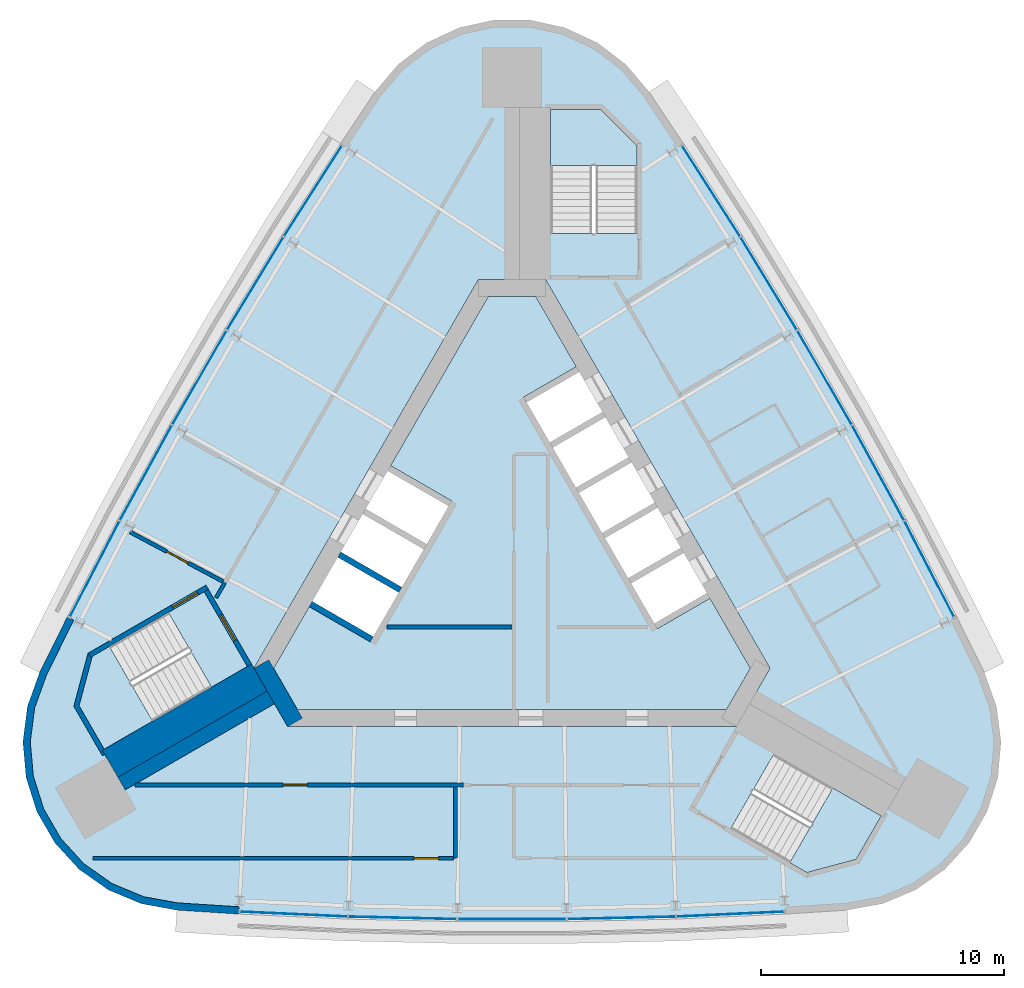
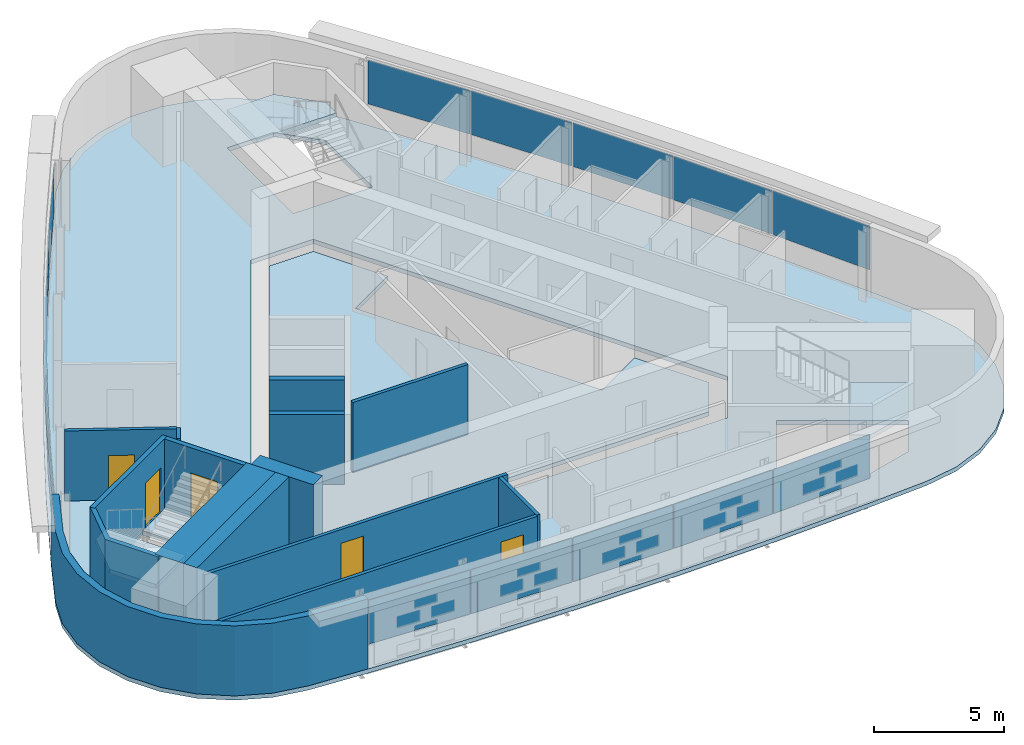
# One storey, part 5 of 10: 15 plates, 15 walls, 5 doors, 5 slabs, 5 openings, 6 elements without a shape of their own.
"""IFC4 building model written with IfcOpenShell, lengths in metres."""

from ifc_helpers import new_model, si_unit, direction, frame, frame_2d, origin, origin_2d, place, context, subcontext, project, spatial, polyline, rectangle, outline, extrude, material, layer, layer_set, type_object, element, fill, aggregate, save


model = new_model("IFC4")

# Units and contexts
model_context = context("Model", 3, precision=1e-05, world=origin(), true_north=direction((0.0, 1.0)))
body_context = subcontext(model_context, "Body", "Model", "MODEL_VIEW")
ifc_project = project(units=[si_unit("LENGTHUNIT", "METRE"), si_unit("AREAUNIT", "SQUARE_METRE"), si_unit("VOLUMEUNIT", "CUBIC_METRE"), si_unit("PLANEANGLEUNIT", "RADIAN"), si_unit("MASSUNIT", "GRAM", prefix="KILO")], contexts=[model_context])

# Site, building, storey
site_placement = place(None, origin())
site = spatial("IfcSite", under=ifc_project, at=site_placement, CompositionType="ELEMENT")
building_placement = place(site_placement, origin())
building = spatial("IfcBuilding", under=site, at=building_placement, Name="Noor Cloister Tower", CompositionType="ELEMENT")
storey_placement = place(building_placement, frame((0.0, 0.0, 247.199951171875)))
storey = spatial("IfcBuildingStorey", under=building, at=storey_placement, Name="L64", CompositionType="ELEMENT", Elevation=247.199951171875)

# Slabs
ifc_material_1 = material(Name="Concrete C40/50", Category="concrete")
ifc_layer_1 = layer(ifc_material_1, 0.199951171875)
ifc_layer_set_1 = layer_set([ifc_layer_1], Name="Core floor slab 200 C40/50")
slab_type_1 = type_object("IfcSlabType", Name="Core floor slab 200 C40/50", PredefinedType="FLOOR", material=ifc_layer_set_1)
slab_1_placement = place(storey_placement, frame((0.0, 0.0, -0.199951171875)))
element("IfcSlab", 1, at=slab_1_placement, inside=storey, type_object=slab_type_1, Name="Core floor L64", PredefinedType="FLOOR", context=body_context, shape_type="SweptSolid", body=[
    extrude(outline(polyline([(2.643798828125, 7.877197265625), (0.9814453125, 10.75634765625), (-0.9814453125, 10.75634765625), (-4.993896484375, 3.806884765625), (-2.482421875, 2.35693359375), (-5.832275390625, -3.4453125), (-8.34375, -1.995361328125), (-9.80615234375, -4.5283203125), (-8.82470703125, -6.228271484375), (8.82470703125, -6.228271484375), (9.80615234375, -4.5283203125), (8.143798828125, -1.64892578125), (5.978759765625, -2.89892578125), (0.478759765625, 6.627197265625), (2.643798828125, 7.877197265625)])), origin(), (0.0, 0.0, 1.0), 0.199951171875),
])
ifc_material_2 = material(Name="Concrete C40/50", Category="concrete")
ifc_layer_2 = layer(ifc_material_2, 0.199951171875)
ifc_layer_set_2 = layer_set([ifc_layer_2], Name="Floor slab 200 C40/50")
slab_type_2 = type_object("IfcSlabType", Name="Floor slab 200 C40/50", PredefinedType="FLOOR", material=ifc_layer_set_2)
slab_2_placement = place(storey_placement, frame((0.0, 0.0, -0.199951171875)))
element("IfcSlab", 2, at=slab_2_placement, inside=storey, type_object=slab_type_2, Name="Floor slab L64", PredefinedType="FLOOR", context=body_context, shape_type="SweptSolid", body=[
    extrude(outline(polyline([(5.643798828125, 19.180419921875), (4.690673828125, 20.306640625), (3.51708984375, 21.200927734375), (2.178466796875, 21.821533203125), (0.73779296875, 22.139404296875), (-0.73779296875, 22.139404296875), (-2.178466796875, 21.821533203125), (-3.51708984375, 21.200927734375), (-4.690673828125, 20.306640625), (-5.643798828125, 19.180419921875), (-7.05712890625, 17.0576171875), (-9.4833984375, 13.267822265625), (-11.822021484375, 9.423583984375), (-14.072021484375, 5.5263671875), (-16.232177734375, 1.578857421875), (-18.301025390625, -2.417236328125), (-19.4326171875, -4.702392578125), (-19.931396484375, -6.091064453125), (-20.119140625, -7.5546875), (-19.9873046875, -9.024169921875), (-19.542236328125, -10.430908203125), (-18.804443359375, -11.70849609375), (-17.808837890625, -12.797607421875), (-16.60205078125, -13.646484375), (-15.24072265625, -14.21533203125), (-13.788818359375, -14.47802734375), (-11.243896484375, -14.640625), (-6.748779296875, -14.846923828125), (-2.25, -14.949951171875), (2.25, -14.949951171875), (6.748779296875, -14.846923828125), (11.243896484375, -14.640625), (13.788818359375, -14.47802734375), (15.24072265625, -14.21533203125), (16.60205078125, -13.646484375), (17.808837890625, -12.797607421875), (18.804443359375, -11.70849609375), (19.542236328125, -10.430908203125), (19.9873046875, -9.024169921875), (20.119140625, -7.5546875), (19.931396484375, -6.091064453125), (19.4326171875, -4.702392578125), (18.301025390625, -2.417236328125), (16.232177734375, 1.578857421875), (14.072021484375, 5.5263671875), (11.822021484375, 9.423583984375), (9.4833984375, 13.267822265625), (7.05712890625, 17.0576171875), (5.643798828125, 19.180419921875)]), holes=[polyline([(8.999755859375, -11.126220703125), (12.131591796875, -12.934326171875), (14.1572265625, -12.3916015625), (15.19091796875, -10.601318359375), (10.774658203125, -8.0517578125), (8.999755859375, -11.126220703125)]), polyline([(-17.81005859375, -6.064697265625), (-16.776611328125, -7.85498046875), (-12.3603515625, -5.305419921875), (-14.13525390625, -2.23095703125), (-16.662841796875, -3.690185546875), (-17.267333984375, -4.039306640625), (-17.81005859375, -6.064697265625)]), polyline([(-10.6142578125, -4.5283203125), (-9.228759765625, -6.92822265625), (9.228759765625, -6.92822265625), (10.6142578125, -4.5283203125), (1.3857421875, 11.456298828125), (-1.3857421875, 11.456298828125), (-10.6142578125, -4.5283203125)]), polyline([(3.65283203125, 18.456298828125), (1.585693359375, 18.456298828125), (1.585693359375, 13.35693359375), (5.135498046875, 13.35693359375), (5.135498046875, 16.9736328125), (3.65283203125, 18.456298828125)])]), origin(), (0.0, 0.0, 1.0), 0.199951171875),
])

# Curtain wall, plates
ifc_material_3 = material(Name="Aluminium 6063-T6 anodised", Category="aluminium")
curtain_wall_type = type_object("IfcCurtainWallType", Name="Ribbon curtain wall, upper tower CW5", PredefinedType="NOTDEFINED", material=ifc_material_3)
curtain_wall_1_placement = place(storey_placement, origin())
curtain_wall_1 = element("IfcCurtainWall", 3, at=curtain_wall_1_placement, inside=storey, type_object=curtain_wall_type, Name="CW5 L64 NW run 1", PredefinedType="NOTDEFINED")
ifc_material_4 = material(Name="Clear laminated glass 2 x 8 mm", Category="glass")
ifc_layer_3 = layer(ifc_material_4, 0.028076171875)
ifc_layer_set_3 = layer_set([ifc_layer_3], Name="Glass panel CW5")
plate_type = type_object("IfcPlateType", Name="Glass panel CW5", PredefinedType="CURTAIN_PANEL", material=ifc_layer_set_3)
plate_1_placement = place(storey_placement, frame((-8.195068359375, 15.0947265625, 1.08984375), z_axis=(0.0, 0.0, 1.0), x_axis=(-0.539170940617, -0.842196352874, 0.0)))
plate_1 = element("IfcPlate", 4, at=plate_1_placement, type_object=plate_type, Name="CW5 glass panel 1", PredefinedType="CURTAIN_PANEL", context=body_context, shape_type="SweptSolid", body=[
    extrude(rectangle(XDim=4.413818359375, YDim=0.028076171875, at=origin_2d()), origin(), (0.0, 0.0, 1.0), 2.070068359375),
])
plate_2_placement = place(storey_placement, frame((-10.5673828125, 11.293701171875, 1.08984375), z_axis=(0.0, 0.0, 1.0), x_axis=(-0.519722064783, -0.854335399816, 0.0)))
plate_2 = element("IfcPlate", 5, at=plate_2_placement, type_object=plate_type, Name="CW5 glass panel 2", PredefinedType="CURTAIN_PANEL", context=body_context, shape_type="SweptSolid", body=[
    extrude(rectangle(XDim=4.447509765625, YDim=0.028076171875, at=origin_2d()), origin(), (0.0, 0.0, 1.0), 2.070068359375),
])
plate_3_placement = place(storey_placement, frame((-12.8603515625, 7.425048828125, 1.08984375), z_axis=(0.0, 0.0, 1.0), x_axis=(-0.5, -0.866025403784, 0.0)))
plate_3 = element("IfcPlate", 6, at=plate_3_placement, type_object=plate_type, Name="CW5 glass panel 3", PredefinedType="CURTAIN_PANEL", context=body_context, shape_type="SweptSolid", body=[
    extrude(rectangle(XDim=4.447509765625, YDim=0.028076171875, at=origin_2d()), origin(), (0.0, 0.0, 1.0), 2.070068359375),
])
plate_4_placement = place(storey_placement, frame((-15.064208984375, 3.504638671875, 1.08984375), z_axis=(0.0, 0.0, 1.0), x_axis=(-0.480015127201, -0.877260210917, 0.0)))
plate_4 = element("IfcPlate", 7, at=plate_4_placement, type_object=plate_type, Name="CW5 glass panel 4", PredefinedType="CURTAIN_PANEL", context=body_context, shape_type="SweptSolid", body=[
    extrude(rectangle(XDim=4.447509765625, YDim=0.028076171875, at=origin_2d()), origin(), (0.0, 0.0, 1.0), 2.070068359375),
])
plate_5_placement = place(storey_placement, frame((-17.169921875, -0.4501953125, 1.08984375), z_axis=(0.0, 0.0, 1.0), x_axis=(-0.459777966255, -0.888033907993, 0.0)))
plate_5 = element("IfcPlate", 8, at=plate_5_placement, type_object=plate_type, Name="CW5 glass panel 5", PredefinedType="CURTAIN_PANEL", context=body_context, shape_type="SweptSolid", body=[
    extrude(rectangle(XDim=4.413818359375, YDim=0.028076171875, at=origin_2d()), origin(), (0.0, 0.0, 1.0), 2.070068359375),
])
aggregate(curtain_wall_1, [plate_1, plate_2, plate_3, plate_4, plate_5])

curtain_wall_2_placement = place(storey_placement, origin())
curtain_wall_2 = element("IfcCurtainWall", 9, at=curtain_wall_2_placement, inside=storey, type_object=curtain_wall_type, Name="CW5 L64 S run 2", PredefinedType="NOTDEFINED")
plate_6_placement = place(storey_placement, frame((-8.974853515625, -14.64453125, 1.08984375), z_axis=(0.0, 0.0, 1.0), x_axis=(0.998948906872, -0.045837555119, 0.0)))
plate_6 = element("IfcPlate", 10, at=plate_6_placement, type_object=plate_type, Name="CW5 glass panel 1", PredefinedType="CURTAIN_PANEL", context=body_context, shape_type="SweptSolid", body=[
    extrude(rectangle(XDim=4.413818359375, YDim=0.028076171875, at=origin_2d()), origin(), (0.0, 0.0, 1.0), 2.070068359375),
])
plate_7_placement = place(storey_placement, frame((-4.4970703125, -14.79833984375, 1.08984375), z_axis=(0.0, 0.0, 1.0), x_axis=(0.999737191984, -0.022924811101, 0.0)))
plate_7 = element("IfcPlate", 11, at=plate_7_placement, type_object=plate_type, Name="CW5 glass panel 2", PredefinedType="CURTAIN_PANEL", context=body_context, shape_type="SweptSolid", body=[
    extrude(rectangle(XDim=4.447509765625, YDim=0.028076171875, at=origin_2d()), origin(), (0.0, 0.0, 1.0), 2.070068359375),
])
plate_8_placement = place(storey_placement, frame((0.0, -14.85009765625, 1.08984375), z_axis=(0.0, 0.0, 1.0), x_axis=(1.0, 0.0, 0.0)))
plate_8 = element("IfcPlate", 12, at=plate_8_placement, type_object=plate_type, Name="CW5 glass panel 3", PredefinedType="CURTAIN_PANEL", context=body_context, shape_type="SweptSolid", body=[
    extrude(rectangle(XDim=4.447509765625, YDim=0.028076171875, at=origin_2d()), origin(), (0.0, 0.0, 1.0), 2.070068359375),
])
plate_9_placement = place(storey_placement, frame((4.4970703125, -14.79833984375, 1.08984375), z_axis=(0.0, 0.0, 1.0), x_axis=(0.999737191984, 0.022924811101, 0.0)))
plate_9 = element("IfcPlate", 13, at=plate_9_placement, type_object=plate_type, Name="CW5 glass panel 4", PredefinedType="CURTAIN_PANEL", context=body_context, shape_type="SweptSolid", body=[
    extrude(rectangle(XDim=4.447509765625, YDim=0.028076171875, at=origin_2d()), origin(), (0.0, 0.0, 1.0), 2.070068359375),
])
plate_10_placement = place(storey_placement, frame((8.974853515625, -14.64453125, 1.08984375), z_axis=(0.0, 0.0, 1.0), x_axis=(0.998948906872, 0.045837555119, 0.0)))
plate_10 = element("IfcPlate", 14, at=plate_10_placement, type_object=plate_type, Name="CW5 glass panel 5", PredefinedType="CURTAIN_PANEL", context=body_context, shape_type="SweptSolid", body=[
    extrude(rectangle(XDim=4.413818359375, YDim=0.028076171875, at=origin_2d()), origin(), (0.0, 0.0, 1.0), 2.070068359375),
])
aggregate(curtain_wall_2, [plate_6, plate_7, plate_8, plate_9, plate_10])

curtain_wall_3_placement = place(storey_placement, origin())
curtain_wall_3 = element("IfcCurtainWall", 15, at=curtain_wall_3_placement, inside=storey, type_object=curtain_wall_type, Name="CW5 L64 NE run 3", PredefinedType="NOTDEFINED")
plate_11_placement = place(storey_placement, frame((17.169921875, -0.4501953125, 1.08984375), z_axis=(0.0, 0.0, 1.0), x_axis=(-0.459777966255, 0.888033907993, 0.0)))
plate_11 = element("IfcPlate", 16, at=plate_11_placement, type_object=plate_type, Name="CW5 glass panel 1", PredefinedType="CURTAIN_PANEL", context=body_context, shape_type="SweptSolid", body=[
    extrude(rectangle(XDim=4.413818359375, YDim=0.028076171875, at=origin_2d()), origin(), (0.0, 0.0, 1.0), 2.070068359375),
])
plate_12_placement = place(storey_placement, frame((15.064208984375, 3.504638671875, 1.08984375), z_axis=(0.0, 0.0, 1.0), x_axis=(-0.480015127201, 0.877260210917, 0.0)))
plate_12 = element("IfcPlate", 17, at=plate_12_placement, type_object=plate_type, Name="CW5 glass panel 2", PredefinedType="CURTAIN_PANEL", context=body_context, shape_type="SweptSolid", body=[
    extrude(rectangle(XDim=4.447509765625, YDim=0.028076171875, at=origin_2d()), origin(), (0.0, 0.0, 1.0), 2.070068359375),
])
plate_13_placement = place(storey_placement, frame((12.8603515625, 7.425048828125, 1.08984375), z_axis=(0.0, 0.0, 1.0), x_axis=(-0.5, 0.866025403784, 0.0)))
plate_13 = element("IfcPlate", 18, at=plate_13_placement, type_object=plate_type, Name="CW5 glass panel 3", PredefinedType="CURTAIN_PANEL", context=body_context, shape_type="SweptSolid", body=[
    extrude(rectangle(XDim=4.447509765625, YDim=0.028076171875, at=origin_2d()), origin(), (0.0, 0.0, 1.0), 2.070068359375),
])
plate_14_placement = place(storey_placement, frame((10.5673828125, 11.293701171875, 1.08984375), z_axis=(0.0, 0.0, 1.0), x_axis=(-0.519722064783, 0.854335399816, 0.0)))
plate_14 = element("IfcPlate", 19, at=plate_14_placement, type_object=plate_type, Name="CW5 glass panel 4", PredefinedType="CURTAIN_PANEL", context=body_context, shape_type="SweptSolid", body=[
    extrude(rectangle(XDim=4.447509765625, YDim=0.028076171875, at=origin_2d()), origin(), (0.0, 0.0, 1.0), 2.070068359375),
])
plate_15_placement = place(storey_placement, frame((8.195068359375, 15.0947265625, 1.08984375), z_axis=(0.0, 0.0, 1.0), x_axis=(-0.539170940617, 0.842196352874, 0.0)))
plate_15 = element("IfcPlate", 20, at=plate_15_placement, type_object=plate_type, Name="CW5 glass panel 5", PredefinedType="CURTAIN_PANEL", context=body_context, shape_type="SweptSolid", body=[
    extrude(rectangle(XDim=4.413818359375, YDim=0.028076171875, at=origin_2d()), origin(), (0.0, 0.0, 1.0), 2.070068359375),
])
aggregate(curtain_wall_3, [plate_11, plate_12, plate_13, plate_14, plate_15])

# Stair, slab
ifc_material_5 = material(Name="Concrete C40/50", Category="concrete")
stair_type = type_object("IfcStairType", Name="Exit stair 22 risers", PredefinedType="HALF_TURN_STAIR", material=ifc_material_5)
stair_1_placement = place(storey_placement, origin())
stair_1 = element("IfcStair", 21, at=stair_1_placement, inside=storey, type_object=stair_type, Name="Exit stair ST1 L64", PredefinedType="HALF_TURN_STAIR")
ifc_material_6 = material(Name="Concrete C40/50", Category="concrete")
ifc_layer_4 = layer(ifc_material_6, 0.199951171875)
ifc_layer_set_4 = layer_set([ifc_layer_4], Name="Stair landing 200 C40/50")
slab_type_3 = type_object("IfcSlabType", Name="Stair landing 200 C40/50", PredefinedType="LANDING", material=ifc_layer_set_4)
slab_3_placement = place(storey_placement, frame((0.0, 0.0, 1.60009765625)))
slab_3 = element("IfcSlab", 22, at=slab_3_placement, type_object=slab_type_3, Name="ST1 landing 1", PredefinedType="LANDING", context=body_context, shape_type="SweptSolid", body=[
    extrude(outline(polyline([(5.135498046875, 16.15576171875), (5.135498046875, 16.9736328125), (3.65283203125, 18.456298828125), (1.585693359375, 18.456298828125), (1.585693359375, 16.15576171875), (5.135498046875, 16.15576171875)])), origin(), (0.0, 0.0, 1.0), 0.199951171875),
])
aggregate(stair_1, [slab_3])

stair_2_placement = place(storey_placement, origin())
stair_2 = element("IfcStair", 23, at=stair_2_placement, inside=storey, type_object=stair_type, Name="Exit stair ST2 L64", PredefinedType="HALF_TURN_STAIR")
slab_4_placement = place(storey_placement, frame((0.0, 0.0, 1.60009765625)))
slab_4 = element("IfcSlab", 24, at=slab_4_placement, type_object=slab_type_3, Name="ST2 landing 1", PredefinedType="LANDING", context=body_context, shape_type="SweptSolid", body=[
    extrude(outline(polyline([(-16.55908203125, -3.63037109375), (-17.267333984375, -4.039306640625), (-17.81005859375, -6.064697265625), (-16.776611328125, -7.85498046875), (-14.7841796875, -6.70458984375), (-16.55908203125, -3.63037109375)])), origin(), (0.0, 0.0, 1.0), 0.199951171875),
])
aggregate(stair_2, [slab_4])

stair_3_placement = place(storey_placement, origin())
stair_3 = element("IfcStair", 25, at=stair_3_placement, inside=storey, type_object=stair_type, Name="Exit stair ST3 L64", PredefinedType="HALF_TURN_STAIR")
slab_5_placement = place(storey_placement, frame((0.0, 0.0, 1.60009765625)))
slab_5 = element("IfcSlab", 26, at=slab_5_placement, type_object=slab_type_3, Name="ST3 landing 1", PredefinedType="LANDING", context=body_context, shape_type="SweptSolid", body=[
    extrude(outline(polyline([(11.423583984375, -12.525390625), (12.131591796875, -12.934326171875), (14.1572265625, -12.3916015625), (15.19091796875, -10.601318359375), (13.198486328125, -9.451171875), (11.423583984375, -12.525390625)])), origin(), (0.0, 0.0, 1.0), 0.199951171875),
])
aggregate(stair_3, [slab_5])

# Walls
ifc_material_7 = material(Name="Concrete C60/75", Category="concrete")
ifc_layer_5 = layer(ifc_material_7, 0.60009765625)
ifc_layer_set_5 = layer_set([ifc_layer_5], Name="Buttress wall 600 C60/75")
wall_type_1 = type_object("IfcWallType", Name="Buttress wall 600 C60/75", PredefinedType="SHEAR", material=ifc_layer_set_5)
wall_1_placement = place(storey_placement, frame((-9.921630859375, -5.728271484375, -0.199951171875), z_axis=(0.0, 0.0, 1.0), x_axis=(-0.866029688112, -0.499992579254, 0.0)))
element("IfcWall", 27, at=wall_1_placement, inside=storey, type_object=wall_type_1, Name="Buttress wall SW L64", PredefinedType="SHEAR", context=body_context, shape_type="SweptSolid", body=[
    extrude(rectangle(XDim=7.09326171875, YDim=0.60009765625, at=frame_2d((3.546630859375, 0.0))), origin(), (0.0, 0.0, 1.0), 3.5),
])
ifc_material_8 = material(Name="Concrete C30/37", Category="concrete")
ifc_layer_6 = layer(ifc_material_8, 0.14990234375)
ifc_layer_set_6 = layer_set([ifc_layer_6], Name="Core partition 150 C30/37")
wall_type_2 = type_object("IfcWallType", Name="Core partition 150 C30/37", PredefinedType="PARTITIONING", material=ifc_layer_set_6)
wall_2_placement = place(storey_placement, frame((-5.142333984375, -2.828125, 0.0), z_axis=(0.0, 0.0, 1.0), x_axis=(1.0, 0.0, 0.0)))
element("IfcWall", 28, at=wall_2_placement, inside=storey, type_object=wall_type_2, Name="Core room partition L64 1", PredefinedType="PARTITIONING", context=body_context, shape_type="SweptSolid", body=[
    extrude(rectangle(XDim=5.138671875, YDim=0.14990234375, at=frame_2d((2.5693359375, 0.0))), origin(), (0.0, 0.0, 1.0), 3.300048828125),
])
ifc_material_9 = material(Name="Concrete C60/75", Category="concrete")
ifc_layer_7 = layer(ifc_material_9, 0.699951171875)
ifc_layer_set_7 = layer_set([ifc_layer_7], Name="Core wall 700 C60/75")
wall_type_3 = type_object("IfcWallType", Name="Core wall 700 C60/75", PredefinedType="SHEAR", material=ifc_layer_set_7)
wall_3_placement = place(storey_placement, frame((-10.311279296875, -4.353271484375, -0.199951171875), z_axis=(0.0, 0.0, 1.0), x_axis=(0.500042739161, -0.866000726912, 0.0)))
element("IfcWall", 29, at=wall_3_placement, inside=storey, type_object=wall_type_3, Name="Core wall L64 6", PredefinedType="SHEAR", context=body_context, shape_type="SweptSolid", body=[
    extrude(rectangle(XDim=2.771240234375, YDim=0.699951171875, at=frame_2d((1.3857421875, 0.0))), origin(), (0.0, 0.0, 1.0), 3.5),
])
ifc_material_10 = material(Name="Fire-rated gypsum board partition on steel studs, 150 mm", Category="steel")
ifc_layer_8 = layer(ifc_material_10, 0.14990234375)
ifc_layer_set_8 = layer_set([ifc_layer_8], Name="Fire lobby wall 150")
wall_type_4 = type_object("IfcWallType", Name="Fire lobby wall 150", PredefinedType="PARTITIONING", material=ifc_layer_set_8)
wall_4_placement = place(storey_placement, frame((-11.811279296875, -1.001220703125, 0.0), z_axis=(0.0, 0.0, 1.0), x_axis=(-0.499839240638, -0.866118198353, 0.0)))
element("IfcWall", 30, at=wall_4_placement, inside=storey, type_object=wall_type_4, Name="Wall L64-W22", PredefinedType="PARTITIONING", context=body_context, shape_type="SweptSolid", body=[
    extrude(rectangle(XDim=0.723876953125, YDim=0.14990234375, at=frame_2d((0.36181640625, 0.0))), origin(), (0.0, 0.0, 1.0), 3.300048828125),
])

# Wall, opening, door
ifc_material_11 = material(Name="Gypsum board partition on steel studs, 150 mm", Category="steel")
ifc_layer_9 = layer(ifc_material_11, 0.14990234375)
ifc_layer_set_9 = layer_set([ifc_layer_9], Name="Flat wall 150")
wall_type_5 = type_object("IfcWallType", Name="Flat wall 150", PredefinedType="PARTITIONING", material=ifc_layer_set_9)
wall_5_placement = place(storey_placement, frame((-15.514404296875, -9.328125, 0.0), z_axis=(0.0, 0.0, 1.0), x_axis=(1.0, 0.0, 0.0)))
wall_5 = element("IfcWall", 31, at=wall_5_placement, inside=storey, type_object=wall_type_5, Name="Wall L64-W14", PredefinedType="PARTITIONING", context=body_context, shape_type="SweptSolid", body=[
    extrude(rectangle(XDim=13.52880859375, YDim=0.14990234375, at=frame_2d((6.764404296875, 0.0))), origin(), (0.0, 0.0, 1.0), 2.751953125),
])
opening_1_placement = place(wall_5_placement, frame((6.09619140625, 0.0, 0.0)))
opening_1 = element("IfcOpeningElement", 32, at=opening_1_placement, cuts=wall_5, Name="Opening L64-011", PredefinedType="OPENING", context=body_context, shape_type="SweptSolid", body=[
    extrude(rectangle(XDim=1.0, YDim=2.10009765625, at=frame_2d((0.5, 1.050048828125))), frame((0.0, 0.0849609375, 0.0), z_axis=(0.0, -1.0, 0.0), x_axis=(1.0, 0.0, 0.0)), (0.0, 0.0, 1.0), 0.169921875),
])
ifc_material_12 = material(Name="Timber door leaf with steel frame", Category="steel")
door_type_1 = type_object("IfcDoorType", Name="Interior door 1000 FD60", OperationType="NOTDEFINED", PredefinedType="DOOR", material=ifc_material_12)
door_1_placement = place(opening_1_placement, origin())
door_1 = element("IfcDoor", 33, at=door_1_placement, inside=storey, type_object=door_type_1, Name="Door L64-011", OperationType="SINGLE_SWING_LEFT", OverallHeight=2.10009765625, OverallWidth=1.0, PredefinedType="DOOR", context=body_context, shape_type="SweptSolid", body=[
    extrude(rectangle(XDim=1.0, YDim=2.10009765625, at=frame_2d((0.5, 1.050048828125))), frame((0.0, 0.02490234375, 0.0), z_axis=(0.0, -1.0, 0.0), x_axis=(1.0, 0.0, 0.0)), (0.0, 0.0, 1.0), 0.050048828125),
])
fill(opening_1, door_1)

# Wall
wall_6_placement = place(storey_placement, frame((-2.322021484375, -9.4033203125, 0.0), z_axis=(0.0, 0.0, 1.0), x_axis=(0.0, -1.0, 0.0)))
element("IfcWall", 34, at=wall_6_placement, inside=storey, type_object=wall_type_5, Name="Wall L64-W17", PredefinedType="PARTITIONING", context=body_context, shape_type="SweptSolid", body=[
    extrude(rectangle(XDim=2.9365234375, YDim=0.14990234375, at=frame_2d((1.46826171875, 0.0))), origin(), (0.0, 0.0, 1.0), 2.751953125),
])

# Wall, opening, door
wall_7_placement = place(storey_placement, frame((-17.24267578125, -12.33984375, 0.0), z_axis=(0.0, 0.0, 1.0), x_axis=(1.0, 0.0, 0.0)))
wall_7 = element("IfcWall", 35, at=wall_7_placement, inside=storey, type_object=wall_type_5, Name="Wall L64-W19", PredefinedType="PARTITIONING", context=body_context, shape_type="SweptSolid", body=[
    extrude(rectangle(XDim=14.845703125, YDim=0.14990234375, at=frame_2d((7.4228515625, 0.0))), origin(), (0.0, 0.0, 1.0), 2.751953125),
])
opening_2_placement = place(wall_7_placement, frame((13.220703125, 0.0, 0.0)))
opening_2 = element("IfcOpeningElement", 36, at=opening_2_placement, cuts=wall_7, Name="Opening L64-010", PredefinedType="OPENING", context=body_context, shape_type="SweptSolid", body=[
    extrude(rectangle(XDim=1.0, YDim=2.10009765625, at=frame_2d((0.5, 1.050048828125))), frame((0.0, 0.0849609375, 0.0), z_axis=(0.0, -1.0, 0.0), x_axis=(1.0, 0.0, 0.0)), (0.0, 0.0, 1.0), 0.169921875),
])
door_2_placement = place(opening_2_placement, origin())
door_2 = element("IfcDoor", 37, at=door_2_placement, inside=storey, type_object=door_type_1, Name="Door L64-010", OperationType="SINGLE_SWING_RIGHT", OverallHeight=2.10009765625, OverallWidth=1.0, PredefinedType="DOOR", context=body_context, shape_type="SweptSolid", body=[
    extrude(rectangle(XDim=1.0, YDim=2.10009765625, at=frame_2d((0.5, 1.050048828125))), frame((0.0, 0.02490234375, 0.0), z_axis=(0.0, -1.0, 0.0), x_axis=(1.0, 0.0, 0.0)), (0.0, 0.0, 1.0), 0.050048828125),
])
fill(opening_2, door_2)

wall_8_placement = place(storey_placement, frame((-15.7060546875, 1.072265625, 0.0), z_axis=(0.0, 0.0, 1.0), x_axis=(0.882697050639, -0.469942461152, 0.0)))
wall_8 = element("IfcWall", 38, at=wall_8_placement, inside=storey, type_object=wall_type_5, Name="Wall L64-W24", PredefinedType="PARTITIONING", context=body_context, shape_type="SweptSolid", body=[
    extrude(rectangle(XDim=4.33740234375, YDim=0.14990234375, at=frame_2d((2.168701171875, 0.0))), origin(), (0.0, 0.0, 1.0), 3.300048828125),
])
opening_3_placement = place(wall_8_placement, frame((1.706298828125, 0.0, 0.0)))
opening_3 = element("IfcOpeningElement", 39, at=opening_3_placement, cuts=wall_8, Name="Opening L64-016", PredefinedType="OPENING", context=body_context, shape_type="SweptSolid", body=[
    extrude(rectangle(XDim=1.0, YDim=2.10009765625, at=frame_2d((0.5, 1.050048828125))), frame((0.0, 0.0849609375, 0.0), z_axis=(0.0, -1.0, 0.0), x_axis=(1.0, 0.0, 0.0)), (0.0, 0.0, 1.0), 0.169921875),
])
door_3_placement = place(opening_3_placement, origin())
door_3 = element("IfcDoor", 40, at=door_3_placement, inside=storey, type_object=door_type_1, Name="Door L64-016", OperationType="SINGLE_SWING_RIGHT", OverallHeight=2.10009765625, OverallWidth=1.0, PredefinedType="DOOR", context=body_context, shape_type="SweptSolid", body=[
    extrude(rectangle(XDim=1.0, YDim=2.10009765625, at=frame_2d((0.5, 1.050048828125))), frame((0.0, 0.02490234375, 0.0), z_axis=(0.0, -1.0, 0.0), x_axis=(1.0, 0.0, 0.0)), (0.0, 0.0, 1.0), 0.050048828125),
])
fill(opening_3, door_3)

# Walls
ifc_material_13 = material(Name="Limestone", Category="masonry")
ifc_layer_10 = layer(ifc_material_13, 0.300048828125)
ifc_layer_set_10 = layer_set([ifc_layer_10], Name="Limestone cladding 300")
wall_type_6 = type_object("IfcWallType", Name="Limestone cladding 300", PredefinedType="NOTDEFINED", material=ifc_layer_set_10)
wall_9_placement = place(storey_placement, origin())
element("IfcWall", 41, at=wall_9_placement, inside=storey, type_object=wall_type_6, Name="Limestone pier cladding L64 1.1", PredefinedType="NOTDEFINED", context=body_context, shape_type="SweptSolid", body=[
    extrude(outline(polyline([(-18.301025390625, -2.417236328125), (-19.4326171875, -4.702392578125), (-19.931396484375, -6.091064453125), (-20.119140625, -7.5546875), (-19.9873046875, -9.024169921875), (-19.542236328125, -10.430908203125), (-18.804443359375, -11.70849609375), (-17.808837890625, -12.797607421875), (-16.60205078125, -13.646484375), (-15.24072265625, -14.21533203125), (-13.788818359375, -14.47802734375), (-11.243896484375, -14.640625), (-11.224609375, -14.341064453125), (-13.75244140625, -14.1796875), (-15.1552734375, -13.926025390625), (-16.4560546875, -13.38232421875), (-17.609375, -12.571044921875), (-18.56103515625, -11.5302734375), (-19.26611328125, -10.30908203125), (-19.69140625, -8.96484375), (-19.8173828125, -7.560302734375), (-19.637939453125, -6.161865234375), (-19.15625, -4.820068359375), (-18.0322265625, -2.55029296875), (-18.301025390625, -2.417236328125)])), origin(), (0.0, 0.0, 1.0), 3.300048828125),
])
ifc_material_14 = material(Name="Concrete C60/75", Category="concrete")
ifc_layer_11 = layer(ifc_material_14, 0.25)
ifc_layer_set_11 = layer_set([ifc_layer_11], Name="Shaft wall 250 C60/75")
wall_type_7 = type_object("IfcWallType", Name="Shaft wall 250 C60/75", PredefinedType="PARTITIONING", material=ifc_layer_set_11)
for number, where, z_axis, x_axis, name in (
    (42, (-7.106201171875, 0.14794921875, -0.199951171875), (0.0, 0.0, 1.0), (0.866032775405, -0.499987231761, 0.0), "Lift shaft wall L64 NW 5"),
    (43, (-8.28125, -1.88720703125, -0.199951171875), (0.0, 0.0, 1.0), (0.866032775405, -0.499987231761, 0.0), "Lift shaft wall L64 NW 6"),
):
    element("IfcWall", number, at=place(storey_placement, frame(where, z_axis=z_axis, x_axis=x_axis)), inside=storey, type_object=wall_type_7, Name=name, PredefinedType="PARTITIONING", context=body_context, shape_type="SweptSolid", body=[
        extrude(rectangle(XDim=2.89990234375, YDim=0.25, at=frame_2d((1.449951171875, 0.0))), origin(), (0.0, 0.0, 1.0), 3.5),
    ])
ifc_material_15 = material(Name="Concrete C60/75", Category="concrete")
ifc_layer_12 = layer(ifc_material_15, 1.285888671875)
ifc_layer_set_12 = layer_set([ifc_layer_12], Name="Stair enclosure wall 1286 C60/75")
wall_type_8 = type_object("IfcWallType", Name="Stair enclosure wall 1286 C60/75", PredefinedType="SHEAR", material=ifc_layer_set_12)
wall_10_placement = place(storey_placement, frame((-10.392822265625, -4.91162109375, -0.199951171875), z_axis=(0.0, 0.0, 1.0), x_axis=(-0.866023389271, -0.500003489223, 0.0)))
element("IfcWall", 44, at=wall_10_placement, inside=storey, type_object=wall_type_8, Name="Stair enclosure wall ST2 L64 riser side", PredefinedType="SHEAR", context=body_context, shape_type="SweptSolid", body=[
    extrude(rectangle(XDim=7.09375, YDim=1.28564453125, at=frame_2d((3.546875, 0.0))), origin(), (0.0, 0.0, 1.0), 3.5),
])

# Wall, opening, door
ifc_material_16 = material(Name="Concrete C60/75", Category="concrete")
ifc_layer_13 = layer(ifc_material_16, 0.199951171875)
ifc_layer_set_13 = layer_set([ifc_layer_13], Name="Stair enclosure wall 200 C60/75")
wall_type_9 = type_object("IfcWallType", Name="Stair enclosure wall 200 C60/75", PredefinedType="SHEAR", material=ifc_layer_set_13)
wall_11_placement = place(storey_placement, frame((-12.575927734375, -1.33056640625, -0.199951171875), z_axis=(0.0, 0.0, 1.0), x_axis=(0.499970499736, -0.8660424351, 0.0)))
wall_11 = element("IfcWall", 45, at=wall_11_placement, inside=storey, type_object=wall_type_9, Name="Stair enclosure wall ST2 L64 near end", PredefinedType="SHEAR", context=body_context, shape_type="SweptSolid", body=[
    extrude(rectangle(XDim=3.550048828125, YDim=0.199951171875, at=frame_2d((1.77490234375, 0.0))), origin(), (0.0, 0.0, 1.0), 3.5),
])
opening_4_placement = place(wall_11_placement, frame((1.175048828125, 0.0, 0.199951171875)))
opening_4 = element("IfcOpeningElement", 46, at=opening_4_placement, cuts=wall_11, Name="Opening L64-ST2L", PredefinedType="OPENING", context=body_context, shape_type="SweptSolid", body=[
    extrude(rectangle(XDim=1.199951171875, YDim=2.10009765625, at=frame_2d((0.60009765625, 1.050048828125))), frame((0.0, 0.10986328125, 0.0), z_axis=(0.0, -1.0, 0.0), x_axis=(1.0, 0.0, 0.0)), (0.0, 0.0, 1.0), 0.219970703125),
])
ifc_material_17 = material(Name="Steel", Category="steel")
door_type_2 = type_object("IfcDoorType", Name="Stair door 1200 x 2100 FD120", OperationType="SINGLE_SWING_LEFT", PredefinedType="DOOR", material=ifc_material_17)
door_4_placement = place(opening_4_placement, origin())
door_4 = element("IfcDoor", 47, at=door_4_placement, inside=storey, type_object=door_type_2, Name="Stair door ST2 L64", OperationType="SINGLE_SWING_RIGHT", OverallHeight=2.10009765625, OverallWidth=1.199951171875, PredefinedType="DOOR", context=body_context, shape_type="SweptSolid", body=[
    extrude(rectangle(XDim=1.199951171875, YDim=2.10009765625, at=frame_2d((0.60009765625, 1.050048828125))), frame((0.0, 0.02490234375, 0.0), z_axis=(0.0, -1.0, 0.0), x_axis=(1.0, 0.0, 0.0)), (0.0, 0.0, 1.0), 0.050048828125),
])
fill(opening_4, door_4)

wall_12_placement = place(storey_placement, frame((-12.539306640625, -1.194091796875, -0.199951171875), z_axis=(0.0, 0.0, 1.0), x_axis=(-0.866045472092, -0.499965239061, 0.0)))
wall_12 = element("IfcWall", 48, at=wall_12_placement, inside=storey, type_object=wall_type_9, Name="Stair enclosure wall ST2 L64 outer side", PredefinedType="SHEAR", context=body_context, shape_type="SweptSolid", body=[
    extrude(rectangle(XDim=5.60009765625, YDim=0.199951171875, at=frame_2d((2.800048828125, 0.0))), origin(), (0.0, 0.0, 1.0), 3.5),
])
opening_5_placement = place(wall_12_placement, frame((0.449951171875, 0.0, 0.199951171875)))
opening_5 = element("IfcOpeningElement", 49, at=opening_5_placement, cuts=wall_12, Name="Opening L64-ST2C", PredefinedType="OPENING", context=body_context, shape_type="SweptSolid", body=[
    extrude(rectangle(XDim=1.199951171875, YDim=2.10009765625, at=frame_2d((0.60009765625, 1.050048828125))), frame((0.0, 0.10986328125, 0.0), z_axis=(0.0, -1.0, 0.0), x_axis=(1.0, 0.0, 0.0)), (0.0, 0.0, 1.0), 0.219970703125),
])
door_5_placement = place(opening_5_placement, origin())
door_5 = element("IfcDoor", 50, at=door_5_placement, inside=storey, type_object=door_type_2, Name="Stair door ST2 L64", OperationType="SINGLE_SWING_LEFT", OverallHeight=2.10009765625, OverallWidth=1.199951171875, PredefinedType="DOOR", context=body_context, shape_type="SweptSolid", body=[
    extrude(rectangle(XDim=1.199951171875, YDim=2.10009765625, at=frame_2d((0.60009765625, 1.050048828125))), frame((0.0, 0.02490234375, 0.0), z_axis=(0.0, -1.0, 0.0), x_axis=(1.0, 0.0, 0.0)), (0.0, 0.0, 1.0), 0.050048828125),
])
fill(opening_5, door_5)

# Wall
ifc_material_18 = material(Name="Concrete C60/75", Category="concrete")
wall_type_10 = type_object("IfcWallType", Name="Stair far end wall C60/75", PredefinedType="SHEAR", material=ifc_material_18)
wall_13_placement = place(storey_placement, frame((0.0, 0.0, -0.199951171875)))
element("IfcWall", 51, at=wall_13_placement, inside=storey, type_object=wall_type_10, Name="Stair enclosure wall ST2 L64 far end", PredefinedType="SHEAR", context=body_context, shape_type="SweptSolid", body=[
    extrude(outline(polyline([(-17.439208984375, -3.907470703125), (-18.024658203125, -6.093017578125), (-16.849609375, -8.128173828125), (-16.757568359375, -8.074951171875), (-16.857666015625, -7.90185546875), (-16.857666015625, -7.90185546875), (-16.857666015625, -7.90185546875), (-16.857666015625, -7.90185546875), (-16.857666015625, -7.90185546875), (-16.857666015625, -7.90185546875), (-16.857666015625, -7.90185546875), (-16.857666015625, -7.90185546875), (-16.857666015625, -7.90185546875), (-16.857666015625, -7.90185546875), (-16.857666015625, -7.90185546875), (-16.857666015625, -7.90185546875), (-16.857666015625, -7.90185546875), (-16.857666015625, -7.90185546875), (-16.857666015625, -7.90185546875), (-16.857666015625, -7.90185546875), (-16.857666015625, -7.90185546875), (-16.776611328125, -7.85498046875), (-17.81005859375, -6.064697265625), (-17.267333984375, -4.039306640625), (-17.339111328125, -4.08056640625), (-17.339111328125, -4.08056640625), (-17.339111328125, -4.08056640625), (-17.339111328125, -4.08056640625), (-17.339111328125, -4.08056640625), (-17.339111328125, -4.08056640625), (-17.339111328125, -4.08056640625), (-17.339111328125, -4.08056640625), (-17.339111328125, -4.08056640625), (-17.339111328125, -4.08056640625), (-17.339111328125, -4.08056640625), (-17.339111328125, -4.08056640625), (-17.339111328125, -4.08056640625), (-17.339111328125, -4.08056640625), (-17.339111328125, -4.08056640625), (-17.339111328125, -4.08056640625), (-17.339111328125, -4.08056640625), (-17.439208984375, -3.907470703125)])), origin(), (0.0, 0.0, 1.0), 3.5),
])

save(model, "model.ifc")
